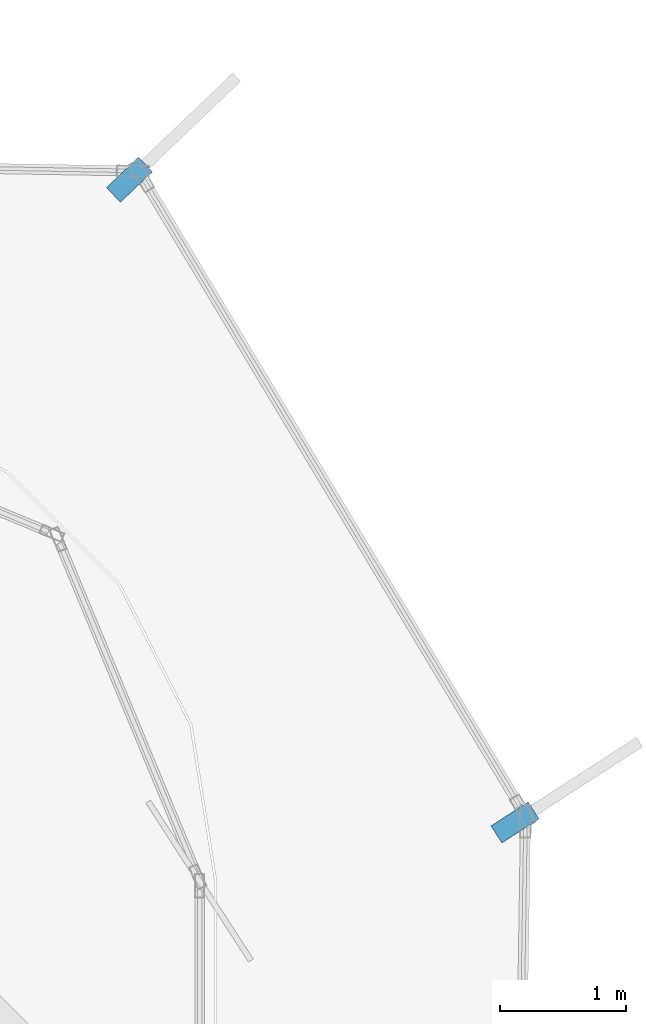
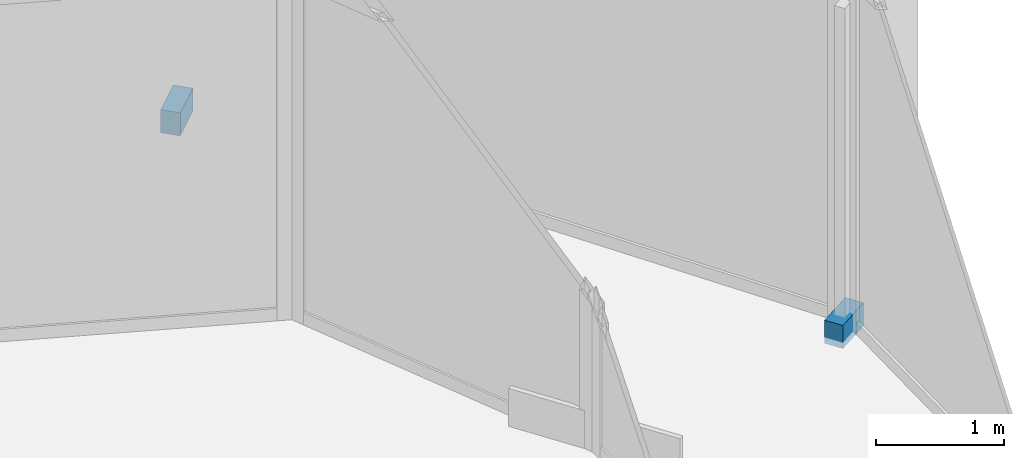
# One storey, part 19 of 22: 2 discrete accessories.
"""IFC4 building model written with IfcOpenShell, lengths in metres."""

from ifc_helpers import new_model, si_unit, direction, frame, origin, origin_2d, place, context, subcontext, project, spatial, rectangle, extrude, source, transform, mapped, material, type_object, element, save


model = new_model("IFC4")

# Units and contexts
model_context = context("Model", 3, precision=1e-05, world=origin(), true_north=direction((0.0, 1.0)))
body_context = subcontext(model_context, "Body", "Model", "MODEL_VIEW")
ifc_project = project(units=[si_unit("LENGTHUNIT", "METRE"), si_unit("AREAUNIT", "SQUARE_METRE"), si_unit("VOLUMEUNIT", "CUBIC_METRE"), si_unit("PLANEANGLEUNIT", "RADIAN"), si_unit("MASSUNIT", "GRAM", prefix="KILO")], contexts=[model_context])

# Site, building, storey
site_placement = place(None, origin())
site = spatial("IfcSite", under=ifc_project, at=site_placement, CompositionType="ELEMENT")
building_placement = place(site_placement, origin())
building = spatial("IfcBuilding", under=site, at=building_placement, Name="Kolveth Station Tower", CompositionType="ELEMENT")
storey_placement = place(building_placement, frame((0.0, 0.0, 54.89990234375)))
storey = spatial("IfcBuildingStorey", under=building, at=storey_placement, Name="L14", CompositionType="ELEMENT", Elevation=54.89990234375)

# Discrete accessories
ifc_material = material(Name="Steel S355", Category="steel")
discrete_accessory_type = type_object("IfcDiscreteAccessoryType", Name="Bracket_BK1", PredefinedType="BRACKET", material=ifc_material)
shared_shape = source(origin(), body_context, "Body", "SweptSolid", [
    extrude(rectangle(XDim=0.35009765625, YDim=0.159912109375, at=origin_2d()), origin(), (0.0, 0.0, 1.0), 0.219970703125),
])
for number, where, z_axis, x_axis, name in (
    (1, (49.381103515625, 36.965087890625, -0.06005859375), (0.0, 0.0, 1.0), (0.839998867196, 0.542588152386, 0.0), "L14 Double-Skin Radial Tie Bracket 3"),
    (2, (46.323974609375, 42.06103515625, -0.06005859375), (0.0, 0.0, 1.0), (0.72296714591, 0.690882411077, 0.0), "L14 Double-Skin Radial Tie Bracket 4"),
):
    element("IfcDiscreteAccessory", number, at=place(storey_placement, frame(where, z_axis=z_axis, x_axis=x_axis)), inside=storey, type_object=discrete_accessory_type, Name=name, PredefinedType="BRACKET", context=body_context, shape_type="MappedRepresentation", body=[
        mapped(shared_shape, transform((0.0, 0.0, 0.0), x_axis=(1.0, 0.0, 0.0), y_axis=(0.0, 1.0, 0.0), z_axis=(0.0, 0.0, 1.0), scale=1.0)),
    ])

save(model, "model.ifc")
